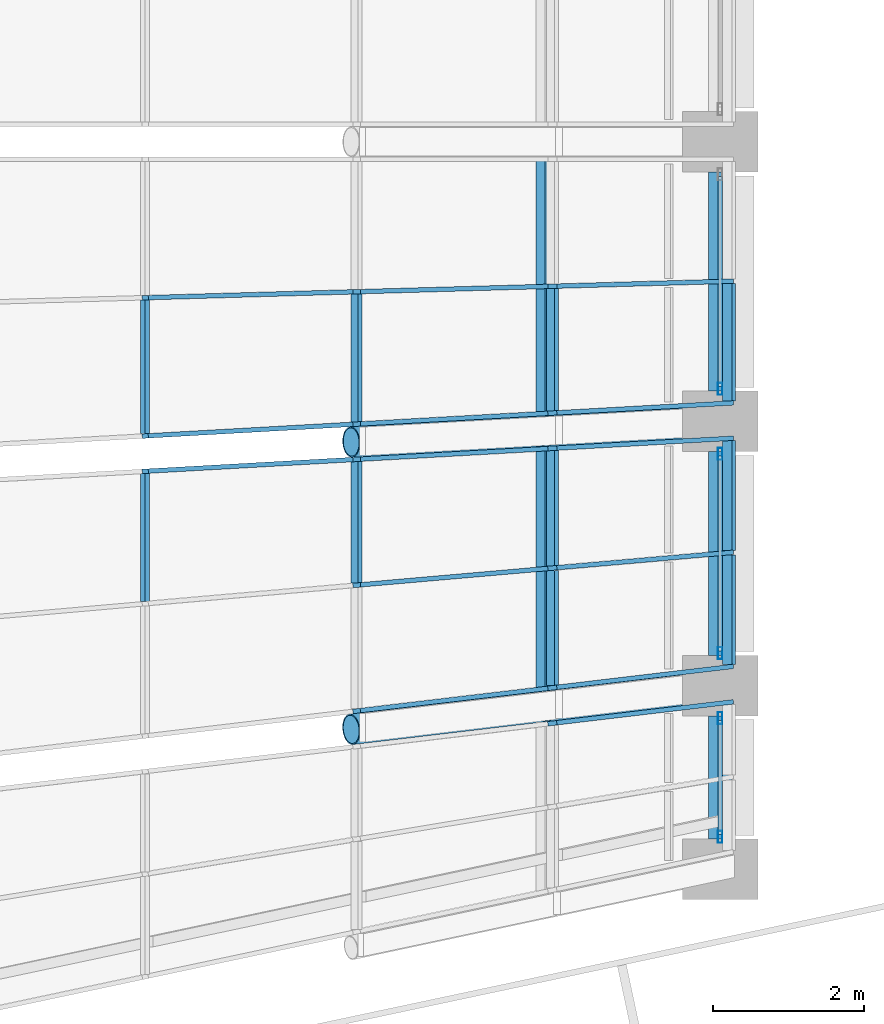
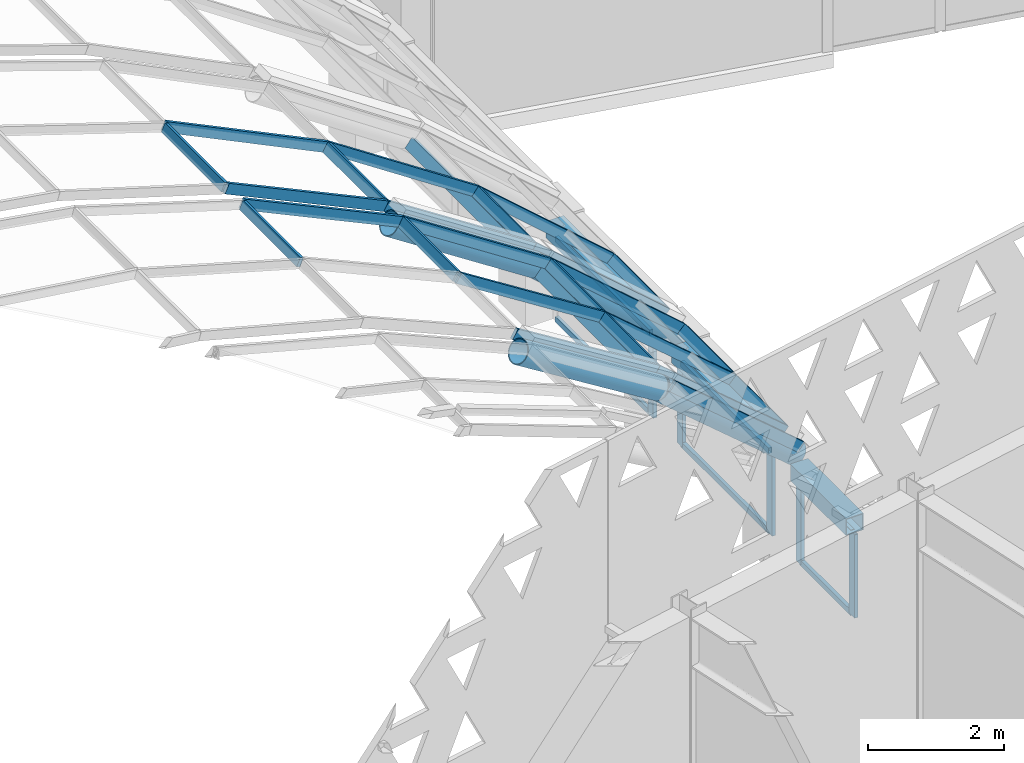
# One storey, part 34 of 182: 41 members, 3 beams, 6 elements without a shape of their own.
"""IFC4 building model written with IfcOpenShell, lengths in metres."""

from ifc_helpers import new_model, si_unit, direction, frame, origin, origin_2d, place, context, subcontext, project, spatial, rectangle, hollow_rectangle, hollow_circle, extrude, material, material_profile, profile_set, type_object, element, aggregate, save


model = new_model("IFC4")

# Units and contexts
model_context = context("Model", 3, precision=1e-05, world=origin(), true_north=direction((0.0, 1.0)))
body_context = subcontext(model_context, "Body", "Model", "MODEL_VIEW")
ifc_project = project(units=[si_unit("LENGTHUNIT", "METRE"), si_unit("AREAUNIT", "SQUARE_METRE"), si_unit("VOLUMEUNIT", "CUBIC_METRE"), si_unit("PLANEANGLEUNIT", "RADIAN"), si_unit("MASSUNIT", "GRAM", prefix="KILO")], contexts=[model_context])

# Site, building, storey
site_placement = place(None, origin())
site = spatial("IfcSite", under=ifc_project, at=site_placement, CompositionType="ELEMENT")
building_placement = place(site_placement, origin())
building = spatial("IfcBuilding", under=site, at=building_placement, Name="Okhra Congress Centre", CompositionType="ELEMENT")
storey_placement = place(building_placement, frame((0.0, 0.0, 7.199951171875)))
storey = spatial("IfcBuildingStorey", under=building, at=storey_placement, Name="L01", CompositionType="ELEMENT", Elevation=7.199951171875)

# Curtain wall, member
ifc_material_1 = material(Name="Aluminium frame with triple glazing", Category="aluminium")
curtain_wall_type_1 = type_object("IfcCurtainWallType", Name="Glazed vault bay curtain wall", PredefinedType="NOTDEFINED", material=ifc_material_1)
curtain_wall_1_placement = place(storey_placement, origin())
curtain_wall_1 = element("IfcCurtainWall", 1, at=curtain_wall_1_placement, inside=storey, type_object=curtain_wall_type_1, Name="Vault glazing bay 1", PredefinedType="NOTDEFINED")
ifc_material_2 = material(Name="Aluminium alloy 6063", Category="aluminium")
ifc_material_profile_1 = material_profile(ifc_material_2, rectangle(XDim=0.06005859375, YDim=0.179931640625, at=origin_2d()), Name="AL 60x180")
ifc_profile_set_1 = profile_set([ifc_material_profile_1], Name="Aluminium alloy 6063")
member_type_1 = type_object("IfcMemberType", Name="Aluminium mullion 60x180", PredefinedType="MULLION", material=ifc_profile_set_1)
member_1_placement = place(storey_placement, frame((186.779296875, 83.30224609375, 3.990478515625), z_axis=(0.745103091142, 0.088304480364, -0.661077682514), x_axis=(-0.117689490823, 0.993050443709, 0.0)))
member_1 = element("IfcMember", 2, at=member_1_placement, type_object=member_type_1, Name="Vault mullion 1.3.12", PredefinedType="MULLION", context=body_context, shape_type="SweptSolid", body=[
    extrude(rectangle(XDim=0.06005859375, YDim=0.179931640625, at=origin_2d()), origin(), (0.0, 0.0, 1.0), 3.137939453125),
])
aggregate(curtain_wall_1, [member_1])

# Curtain wall, members
curtain_wall_2_placement = place(storey_placement, origin())
curtain_wall_2 = element("IfcCurtainWall", 3, at=curtain_wall_2_placement, inside=storey, type_object=curtain_wall_type_1, Name="Vault glazing bay 2", PredefinedType="NOTDEFINED")
member_2_placement = place(storey_placement, frame((184.188720703125, 83.464599609375, 5.7392578125), z_axis=(0.824861462835, 0.097714716689, -0.556826185872), x_axis=(-0.117639418105, 0.993056376702, 0.0)))
member_2 = element("IfcMember", 4, at=member_2_placement, type_object=member_type_1, Name="Vault mullion 2.1.11", PredefinedType="MULLION", context=body_context, shape_type="SweptSolid", body=[
    extrude(rectangle(XDim=0.06005859375, YDim=0.179931640625, at=origin_2d()), origin(), (0.0, 0.0, 1.0), 3.140625),
])
member_3_placement = place(storey_placement, frame((186.779296875, 83.771484375, 3.990478515625), z_axis=(0.745103091142, 0.088304480364, -0.661077682514), x_axis=(-0.117689490823, 0.993050443709, 0.0)))
member_3 = element("IfcMember", 5, at=member_3_placement, type_object=member_type_1, Name="Vault mullion 2.1.12", PredefinedType="MULLION", context=body_context, shape_type="SweptSolid", body=[
    extrude(rectangle(XDim=0.06005859375, YDim=0.179931640625, at=origin_2d()), origin(), (0.0, 0.0, 1.0), 3.137939453125),
])
member_4_placement = place(storey_placement, frame((184.188720703125, 85.13037109375, 5.7392578125), z_axis=(0.826668251068, 0.07214162666, -0.558045865838), x_axis=(-0.086937512763, 0.996213766656, 0.0)))
member_4 = element("IfcMember", 6, at=member_4_placement, type_object=member_type_1, Name="Vault mullion 2.2.11", PredefinedType="MULLION", context=body_context, shape_type="SweptSolid", body=[
    extrude(rectangle(XDim=0.06005859375, YDim=0.179931640625, at=origin_2d()), origin(), (0.0, 0.0, 1.0), 3.1337890625),
])
member_5_placement = place(storey_placement, frame((186.779296875, 85.3564453125, 3.990478515625), z_axis=(0.746431842792, 0.065235820447, -0.662256590603), x_axis=(-0.087065010231, 0.996202631995, 0.0)))
member_5 = element("IfcMember", 7, at=member_5_placement, type_object=member_type_1, Name="Vault mullion 2.2.12", PredefinedType="MULLION", context=body_context, shape_type="SweptSolid", body=[
    extrude(rectangle(XDim=0.06005859375, YDim=0.179931640625, at=origin_2d()), origin(), (0.0, 0.0, 1.0), 3.13232421875),
])
member_6_placement = place(storey_placement, frame((181.390625, 86.638427734375, 7.1318359375), z_axis=(0.894119541934, 0.050319091227, -0.444992397452), x_axis=(-0.05618890153, 0.998420155718, 0.0)))
member_6 = element("IfcMember", 8, at=member_6_placement, type_object=member_type_1, Name="Vault mullion 2.3.10", PredefinedType="MULLION", context=body_context, shape_type="SweptSolid", body=[
    extrude(rectangle(XDim=0.06005859375, YDim=0.179931640625, at=origin_2d()), origin(), (0.0, 0.0, 1.0), 3.12939453125),
])
member_7_placement = place(storey_placement, frame((184.188720703125, 86.7958984375, 5.7392578125), z_axis=(0.827928159317, 0.046581199803, -0.558896372179), x_axis=(-0.056173532115, 0.998421020557, 0.0)))
member_7 = element("IfcMember", 9, at=member_7_placement, type_object=member_type_1, Name="Vault mullion 2.3.11", PredefinedType="MULLION", context=body_context, shape_type="SweptSolid", body=[
    extrude(rectangle(XDim=0.06005859375, YDim=0.179931640625, at=origin_2d()), origin(), (0.0, 0.0, 1.0), 3.12890625),
])
member_8_placement = place(storey_placement, frame((186.779296875, 86.941650390625, 3.990478515625), z_axis=(0.747365677027, 0.041984205309, -0.663085116185), x_axis=(-0.056087825139, 0.998425838944, 0.0)))
member_8 = element("IfcMember", 10, at=member_8_placement, type_object=member_type_1, Name="Vault mullion 2.3.12", PredefinedType="MULLION", context=body_context, shape_type="SweptSolid", body=[
    extrude(rectangle(XDim=0.06005859375, YDim=0.179931640625, at=origin_2d()), origin(), (0.0, 0.0, 1.0), 3.12841796875),
])

curtain_wall_3_placement = place(storey_placement, origin())
curtain_wall_3 = element("IfcCurtainWall", 11, at=curtain_wall_3_placement, inside=storey, type_object=curtain_wall_type_1, Name="Vault glazing bay 3", PredefinedType="NOTDEFINED")
member_9_placement = place(storey_placement, frame((181.390625, 87.10546875, 7.1318359375), z_axis=(0.894119541934, 0.050319091227, -0.444992397452), x_axis=(-0.05618890153, 0.998420155718, 0.0)))
member_9 = element("IfcMember", 12, at=member_9_placement, type_object=member_type_1, Name="Vault mullion 3.1.10", PredefinedType="MULLION", context=body_context, shape_type="SweptSolid", body=[
    extrude(rectangle(XDim=0.06005859375, YDim=0.179931640625, at=origin_2d()), origin(), (0.0, 0.0, 1.0), 3.12939453125),
])
member_10_placement = place(storey_placement, frame((184.188720703125, 87.262939453125, 5.7392578125), z_axis=(0.827928159317, 0.046581199803, -0.558896372179), x_axis=(-0.056173532115, 0.998421020557, 0.0)))
member_10 = element("IfcMember", 13, at=member_10_placement, type_object=member_type_1, Name="Vault mullion 3.1.11", PredefinedType="MULLION", context=body_context, shape_type="SweptSolid", body=[
    extrude(rectangle(XDim=0.06005859375, YDim=0.179931640625, at=origin_2d()), origin(), (0.0, 0.0, 1.0), 3.12890625),
])
member_11_placement = place(storey_placement, frame((186.779296875, 87.40869140625, 3.990478515625), z_axis=(0.747365677027, 0.041984205309, -0.663085116185), x_axis=(-0.056087825139, 0.998425838944, 0.0)))
member_11 = element("IfcMember", 14, at=member_11_placement, type_object=member_type_1, Name="Vault mullion 3.1.12", PredefinedType="MULLION", context=body_context, shape_type="SweptSolid", body=[
    extrude(rectangle(XDim=0.06005859375, YDim=0.179931640625, at=origin_2d()), origin(), (0.0, 0.0, 1.0), 3.12841796875),
])
member_12_placement = place(storey_placement, frame((181.390625, 88.93603515625, 7.1318359375), z_axis=(0.894968842501, 0.025222488101, -0.445415083991), x_axis=(-0.028171346668, 0.999603108852, 0.0)))
member_12 = element("IfcMember", 15, at=member_12_placement, type_object=member_type_1, Name="Vault mullion 3.2.10", PredefinedType="MULLION", context=body_context, shape_type="SweptSolid", body=[
    extrude(rectangle(XDim=0.06005859375, YDim=0.179931640625, at=origin_2d()), origin(), (0.0, 0.0, 1.0), 3.12646484375),
])
member_13_placement = place(storey_placement, frame((184.188720703125, 89.014892578125, 5.7392578125), z_axis=(0.828603403129, 0.023270550762, -0.559352198342), x_axis=(-0.028072995099, 0.999605875806, 0.0)))
member_13 = element("IfcMember", 16, at=member_13_placement, type_object=member_type_1, Name="Vault mullion 3.2.11", PredefinedType="MULLION", context=body_context, shape_type="SweptSolid", body=[
    extrude(rectangle(XDim=0.06005859375, YDim=0.179931640625, at=origin_2d()), origin(), (0.0, 0.0, 1.0), 3.12646484375),
])
member_14_placement = place(storey_placement, frame((186.779296875, 89.087646484375, 3.990478515625), z_axis=(0.747858948985, 0.021084046802, -0.663522761775), x_axis=(-0.028181347319, 0.999602826958, 0.0)))
member_14 = element("IfcMember", 17, at=member_14_placement, type_object=member_type_1, Name="Vault mullion 3.2.12", PredefinedType="MULLION", context=body_context, shape_type="SweptSolid", body=[
    extrude(rectangle(XDim=0.06005859375, YDim=0.179931640625, at=origin_2d()), origin(), (0.0, 0.0, 1.0), 3.12646484375),
])

# Member
ifc_material_profile_2 = material_profile(ifc_material_2, rectangle(XDim=0.06005859375, YDim=0.159912109375, at=origin_2d()), Name="AL 60x160 transom")
ifc_profile_set_2 = profile_set([ifc_material_profile_2], Name="Aluminium alloy 6063")
member_type_2 = type_object("IfcMemberType", Name="Aluminium transom 60x160", PredefinedType="USERDEFINED", material=ifc_profile_set_2)
member_15_placement = place(storey_placement, frame((181.38671875, 84.91552734375, 7.12255859375), z_axis=(0.0, 1.0, 0.0), x_axis=(-0.922668973833, 0.0, 0.38559300399)))
member_15 = element("IfcMember", 18, at=member_15_placement, type_object=member_type_2, Name="Vault transom 2.2.10", ObjectType="TRANSOM", PredefinedType="USERDEFINED", context=body_context, shape_type="SweptSolid", body=[
    extrude(rectangle(XDim=0.06005859375, YDim=0.159912109375, at=origin_2d()), origin(), (0.0, 0.0, 1.0), 1.692626953125),
])

member_16_placement = place(storey_placement, frame((181.38671875, 87.13525390625, 7.12255859375), z_axis=(0.0, 1.0, 0.0), x_axis=(-0.922668973833, 0.0, 0.38559300399)))
member_16 = element("IfcMember", 19, at=member_16_placement, type_object=member_type_2, Name="Vault transom 3.1.10", ObjectType="TRANSOM", PredefinedType="USERDEFINED", context=body_context, shape_type="SweptSolid", body=[
    extrude(rectangle(XDim=0.06005859375, YDim=0.159912109375, at=origin_2d()), origin(), (0.0, 0.0, 1.0), 1.770751953125),
])

ifc_material_profile_3 = material_profile(ifc_material_2, rectangle(XDim=0.06005859375, YDim=0.179931640625, at=origin_2d()), Name="AL 60x180 transom")
ifc_profile_set_3 = profile_set([ifc_material_profile_3], Name="Aluminium alloy 6063")
member_type_3 = type_object("IfcMemberType", Name="Aluminium transom 60x180", PredefinedType="USERDEFINED", material=ifc_profile_set_3)
member_17_placement = place(storey_placement, frame((186.779296875, 83.801513671875, 3.990478515625), z_axis=(0.0, 1.0, 0.0), x_axis=(-0.790145035185, 0.0, 0.612919915954)))
member_17 = element("IfcMember", 20, at=member_17_placement, type_object=member_type_3, Name="Vault transom 2.1.12", ObjectType="TRANSOM", PredefinedType="USERDEFINED", context=body_context, shape_type="SweptSolid", body=[
    extrude(rectangle(XDim=0.06005859375, YDim=0.179931640625, at=origin_2d()), origin(), (0.0, 0.0, 1.0), 1.525146484375),
])

member_18_placement = place(storey_placement, frame((189.117431640625, 84.07861328125, 1.916015625), z_axis=(0.0, 1.0, 0.0), x_axis=(-0.702636070549, 0.0, 0.711549402616)))
member_18 = element("IfcMember", 21, at=member_18_placement, type_object=member_type_3, Name="Vault transom 2.1.13", ObjectType="TRANSOM", PredefinedType="USERDEFINED", context=body_context, shape_type="SweptSolid", body=[
    extrude(rectangle(XDim=0.06005859375, YDim=0.179931640625, at=origin_2d()), origin(), (0.0, 0.0, 1.0), 1.4521484375),
])

member_19_placement = place(storey_placement, frame((184.188720703125, 85.16015625, 5.7392578125), z_axis=(0.0, 1.0, 0.0), x_axis=(-0.86391685861, 0.0, 0.503634452167)))
member_19 = element("IfcMember", 22, at=member_19_placement, type_object=member_type_3, Name="Vault transom 2.2.11", ObjectType="TRANSOM", PredefinedType="USERDEFINED", context=body_context, shape_type="SweptSolid", body=[
    extrude(rectangle(XDim=0.06005859375, YDim=0.179931640625, at=origin_2d()), origin(), (0.0, 0.0, 1.0), 1.605712890625),
])

member_20_placement = place(storey_placement, frame((186.779296875, 85.386474609375, 3.990478515625), z_axis=(0.0, 1.0, 0.0), x_axis=(-0.790145035185, 0.0, 0.612919915954)))
member_20 = element("IfcMember", 23, at=member_20_placement, type_object=member_type_3, Name="Vault transom 2.2.12", ObjectType="TRANSOM", PredefinedType="USERDEFINED", context=body_context, shape_type="SweptSolid", body=[
    extrude(rectangle(XDim=0.06005859375, YDim=0.179931640625, at=origin_2d()), origin(), (0.0, 0.0, 1.0), 1.525146484375),
])

member_21_placement = place(storey_placement, frame((189.117431640625, 85.5908203125, 1.916015625), z_axis=(0.0, 1.0, 0.0), x_axis=(-0.702636070549, 0.0, 0.711549402616)))
member_21 = element("IfcMember", 24, at=member_21_placement, type_object=member_type_3, Name="Vault transom 2.2.13", ObjectType="TRANSOM", PredefinedType="USERDEFINED", context=body_context, shape_type="SweptSolid", body=[
    extrude(rectangle(XDim=0.06005859375, YDim=0.179931640625, at=origin_2d()), origin(), (0.0, 0.0, 1.0), 1.4521484375),
])

aggregate(curtain_wall_2, [member_2, member_3, member_4, member_5, member_6, member_7, member_8, member_17, member_18, member_15, member_19, member_20, member_21])

member_22_placement = place(storey_placement, frame((184.188720703125, 87.29296875, 5.7392578125), z_axis=(0.0, 1.0, 0.0), x_axis=(-0.86391685861, 0.0, 0.503634452167)))
member_22 = element("IfcMember", 25, at=member_22_placement, type_object=member_type_3, Name="Vault transom 3.1.11", ObjectType="TRANSOM", PredefinedType="USERDEFINED", context=body_context, shape_type="SweptSolid", body=[
    extrude(rectangle(XDim=0.06005859375, YDim=0.179931640625, at=origin_2d()), origin(), (0.0, 0.0, 1.0), 1.69189453125),
])

member_23_placement = place(storey_placement, frame((186.779296875, 87.438720703125, 3.990478515625), z_axis=(0.0, 1.0, 0.0), x_axis=(-0.790145035185, 0.0, 0.612919915954)))
member_23 = element("IfcMember", 26, at=member_23_placement, type_object=member_type_3, Name="Vault transom 3.1.12", ObjectType="TRANSOM", PredefinedType="USERDEFINED", context=body_context, shape_type="SweptSolid", body=[
    extrude(rectangle(XDim=0.06005859375, YDim=0.179931640625, at=origin_2d()), origin(), (0.0, 0.0, 1.0), 1.618896484375),
])

member_24_placement = place(storey_placement, frame((189.117431640625, 87.570068359375, 1.916015625), z_axis=(0.0, 1.0, 0.0), x_axis=(-0.702636070549, 0.0, 0.711549402616)))
member_24 = element("IfcMember", 27, at=member_24_placement, type_object=member_type_3, Name="Vault transom 3.1.13", ObjectType="TRANSOM", PredefinedType="USERDEFINED", context=body_context, shape_type="SweptSolid", body=[
    extrude(rectangle(XDim=0.06005859375, YDim=0.179931640625, at=origin_2d()), origin(), (0.0, 0.0, 1.0), 1.553466796875),
])

aggregate(curtain_wall_3, [member_9, member_10, member_11, member_12, member_13, member_14, member_16, member_22, member_23, member_24])

# Curtain wall, members
ifc_material_3 = material(Name="Aluminium curtain wall, triple glazing", Category="aluminium")
curtain_wall_type_2 = type_object("IfcCurtainWallType", Name="Curtain wall 2100 module", PredefinedType="NOTDEFINED", material=ifc_material_3)
curtain_wall_4_placement = place(storey_placement, origin())
curtain_wall_4 = element("IfcCurtainWall", 28, at=curtain_wall_4_placement, inside=storey, type_object=curtain_wall_type_2, Name="East bay 1 clerestory glazing", PredefinedType="NOTDEFINED")
ifc_material_4 = material(Name="Aluminium alloy EN AW-6063 T66", Category="aluminium")
ifc_material_profile_4 = material_profile(ifc_material_4, hollow_rectangle(XDim=0.06005859375, YDim=0.159912109375, WallThickness=0.00390625, at=origin_2d()), Name="RHS 60x160x4")
ifc_profile_set_4 = profile_set([ifc_material_profile_4], Name="Aluminium alloy EN AW-6063 T66")
member_type_4 = type_object("IfcMemberType", Name="Curtain wall mullion 60x160", PredefinedType="MULLION", material=ifc_profile_set_4)
member_25_placement = place(storey_placement, frame((189.0, 81.799072265625, 0.0), z_axis=(0.0, 0.0, 1.0), x_axis=(-1.0, 0.0, 0.0)))
member_25 = element("IfcMember", 29, at=member_25_placement, type_object=member_type_4, Name="CW4 mullion 1", PredefinedType="MULLION", context=body_context, shape_type="SweptSolid", body=[
    extrude(hollow_rectangle(XDim=0.06005859375, YDim=0.159912109375, WallThickness=0.00390625, at=origin_2d()), origin(), (0.0, 0.0, 1.0), 1.5),
])
member_26_placement = place(storey_placement, frame((189.0, 83.3701171875, 0.0), z_axis=(0.0, 0.0, 1.0), x_axis=(-1.0, 0.0, 0.0)))
member_26 = element("IfcMember", 30, at=member_26_placement, type_object=member_type_4, Name="CW4 mullion 2", PredefinedType="MULLION", context=body_context, shape_type="SweptSolid", body=[
    extrude(hollow_rectangle(XDim=0.06005859375, YDim=0.159912109375, WallThickness=0.00390625, at=origin_2d()), origin(), (0.0, 0.0, 1.0), 1.5),
])

curtain_wall_5_placement = place(storey_placement, origin())
curtain_wall_5 = element("IfcCurtainWall", 31, at=curtain_wall_5_placement, inside=storey, type_object=curtain_wall_type_2, Name="East bay 2 clerestory glazing", PredefinedType="NOTDEFINED")
member_27_placement = place(storey_placement, frame((189.0, 84.22998046875, 0.0), z_axis=(0.0, 0.0, 1.0), x_axis=(-1.0, 0.0, 0.0)))
member_27 = element("IfcMember", 32, at=member_27_placement, type_object=member_type_4, Name="CW4 mullion 1", PredefinedType="MULLION", context=body_context, shape_type="SweptSolid", body=[
    extrude(hollow_rectangle(XDim=0.06005859375, YDim=0.159912109375, WallThickness=0.00390625, at=origin_2d()), origin(), (0.0, 0.0, 1.0), 1.5),
])
member_28_placement = place(storey_placement, frame((189.0, 86.8701171875, 0.0), z_axis=(0.0, 0.0, 1.0), x_axis=(-1.0, 0.0, 0.0)))
member_28 = element("IfcMember", 33, at=member_28_placement, type_object=member_type_4, Name="CW4 mullion 2", PredefinedType="MULLION", context=body_context, shape_type="SweptSolid", body=[
    extrude(hollow_rectangle(XDim=0.06005859375, YDim=0.159912109375, WallThickness=0.00390625, at=origin_2d()), origin(), (0.0, 0.0, 1.0), 1.5),
])

# Curtain wall, member
curtain_wall_6_placement = place(storey_placement, origin())
curtain_wall_6 = element("IfcCurtainWall", 34, at=curtain_wall_6_placement, inside=storey, type_object=curtain_wall_type_2, Name="East bay 3 clerestory glazing", PredefinedType="NOTDEFINED")
member_29_placement = place(storey_placement, frame((189.0, 87.72998046875, 0.0), z_axis=(0.0, 0.0, 1.0), x_axis=(-1.0, 0.0, 0.0)))
member_29 = element("IfcMember", 35, at=member_29_placement, type_object=member_type_4, Name="CW4 mullion 1", PredefinedType="MULLION", context=body_context, shape_type="SweptSolid", body=[
    extrude(hollow_rectangle(XDim=0.06005859375, YDim=0.159912109375, WallThickness=0.00390625, at=origin_2d()), origin(), (0.0, 0.0, 1.0), 1.5),
])

# Member
ifc_material_profile_5 = material_profile(ifc_material_4, hollow_rectangle(XDim=0.06005859375, YDim=0.10009765625, WallThickness=0.00390625, at=origin_2d()), Name="RHS 60x100x4")
ifc_profile_set_5 = profile_set([ifc_material_profile_5], Name="Aluminium alloy EN AW-6063 T66")
member_type_5 = type_object("IfcMemberType", Name="Curtain wall transom 60x100", PredefinedType="USERDEFINED", material=ifc_profile_set_5)
member_30_placement = place(storey_placement, frame((189.0, 81.8291015625, 0.030029296875), z_axis=(0.0, 1.0, 0.0), x_axis=(-1.0, 0.0, 0.0)))
member_30 = element("IfcMember", 36, at=member_30_placement, type_object=member_type_5, Name="CW4 transom 1.1", ObjectType="TRANSOM", PredefinedType="USERDEFINED", context=body_context, shape_type="SweptSolid", body=[
    extrude(hollow_rectangle(XDim=0.06005859375, YDim=0.10009765625, WallThickness=0.00390625, at=origin_2d()), origin(), (0.0, 0.0, 1.0), 1.510986328125),
])

member_31_placement = place(storey_placement, frame((189.0, 81.8291015625, 1.469970703125), z_axis=(0.0, 1.0, 0.0), x_axis=(-1.0, 0.0, 0.0)))
member_31 = element("IfcMember", 37, at=member_31_placement, type_object=member_type_5, Name="CW4 transom 1.2", ObjectType="TRANSOM", PredefinedType="USERDEFINED", context=body_context, shape_type="SweptSolid", body=[
    extrude(hollow_rectangle(XDim=0.06005859375, YDim=0.10009765625, WallThickness=0.00390625, at=origin_2d()), origin(), (0.0, 0.0, 1.0), 1.510986328125),
])

aggregate(curtain_wall_4, [member_25, member_26, member_30, member_31])

member_32_placement = place(storey_placement, frame((189.0, 84.260009765625, 0.030029296875), z_axis=(0.0, 1.0, 0.0), x_axis=(-1.0, 0.0, 0.0)))
member_32 = element("IfcMember", 38, at=member_32_placement, type_object=member_type_5, Name="CW4 transom 1.1", ObjectType="TRANSOM", PredefinedType="USERDEFINED", context=body_context, shape_type="SweptSolid", body=[
    extrude(hollow_rectangle(XDim=0.06005859375, YDim=0.10009765625, WallThickness=0.00390625, at=origin_2d()), origin(), (0.0, 0.0, 1.0), 2.580078125),
])

member_33_placement = place(storey_placement, frame((189.0, 84.260009765625, 1.469970703125), z_axis=(0.0, 1.0, 0.0), x_axis=(-1.0, 0.0, 0.0)))
member_33 = element("IfcMember", 39, at=member_33_placement, type_object=member_type_5, Name="CW4 transom 1.2", ObjectType="TRANSOM", PredefinedType="USERDEFINED", context=body_context, shape_type="SweptSolid", body=[
    extrude(hollow_rectangle(XDim=0.06005859375, YDim=0.10009765625, WallThickness=0.00390625, at=origin_2d()), origin(), (0.0, 0.0, 1.0), 2.580078125),
])

aggregate(curtain_wall_5, [member_27, member_28, member_32, member_33])

member_34_placement = place(storey_placement, frame((189.0, 87.760009765625, 0.030029296875), z_axis=(0.0, 1.0, 0.0), x_axis=(-1.0, 0.0, 0.0)))
member_34 = element("IfcMember", 40, at=member_34_placement, type_object=member_type_5, Name="CW4 transom 1.1", ObjectType="TRANSOM", PredefinedType="USERDEFINED", context=body_context, shape_type="SweptSolid", body=[
    extrude(hollow_rectangle(XDim=0.06005859375, YDim=0.10009765625, WallThickness=0.00390625, at=origin_2d()), origin(), (0.0, 0.0, 1.0), 2.780029296875),
])

member_35_placement = place(storey_placement, frame((189.0, 87.760009765625, 1.469970703125), z_axis=(0.0, 1.0, 0.0), x_axis=(-1.0, 0.0, 0.0)))
member_35 = element("IfcMember", 41, at=member_35_placement, type_object=member_type_5, Name="CW4 transom 1.2", ObjectType="TRANSOM", PredefinedType="USERDEFINED", context=body_context, shape_type="SweptSolid", body=[
    extrude(hollow_rectangle(XDim=0.06005859375, YDim=0.10009765625, WallThickness=0.00390625, at=origin_2d()), origin(), (0.0, 0.0, 1.0), 2.780029296875),
])

aggregate(curtain_wall_6, [member_29, member_34, member_35])

# Beams
ifc_material_5 = material(Name="Steel S355J2", Category="steel")
ifc_material_profile_6 = material_profile(ifc_material_5, hollow_rectangle(XDim=0.300048828125, YDim=0.300048828125, WallThickness=0.012451171875, at=origin_2d()), Name="RHS 300x300x12.5")
ifc_profile_set_6 = profile_set([ifc_material_profile_6], Name="Steel S355J2")
beam_type = type_object("IfcBeamType", Name="Steel eaves beam RHS 300x300x12.5", PredefinedType="BEAM", material=ifc_profile_set_6)
beam_1_placement = place(storey_placement, frame((189.0, 81.769287109375, 1.650146484375), z_axis=(0.0, 1.0, 0.0), x_axis=(-1.0, 0.0, 0.0)))
element("IfcBeam", 42, at=beam_1_placement, inside=storey, type_object=beam_type, Name="Eaves beam E1", PredefinedType="BEAM", context=body_context, shape_type="SweptSolid", body=[
    extrude(hollow_rectangle(XDim=0.300048828125, YDim=0.300048828125, WallThickness=0.012451171875, at=origin_2d()), origin(), (0.0, 0.0, 1.0), 1.630615234375),
])
beam_2_placement = place(storey_placement, frame((189.0, 84.199951171875, 1.650146484375), z_axis=(0.0, 1.0, 0.0), x_axis=(-1.0, 0.0, 0.0)))
element("IfcBeam", 43, at=beam_2_placement, inside=storey, type_object=beam_type, Name="Eaves beam E2", PredefinedType="BEAM", context=body_context, shape_type="SweptSolid", body=[
    extrude(hollow_rectangle(XDim=0.300048828125, YDim=0.300048828125, WallThickness=0.012451171875, at=origin_2d()), origin(), (0.0, 0.0, 1.0), 2.699951171875),
])
beam_3_placement = place(storey_placement, frame((189.0, 87.699951171875, 1.650146484375), z_axis=(0.0, 1.0, 0.0), x_axis=(-1.0, 0.0, 0.0)))
element("IfcBeam", 44, at=beam_3_placement, inside=storey, type_object=beam_type, Name="Eaves beam E3", PredefinedType="BEAM", context=body_context, shape_type="SweptSolid", body=[
    extrude(hollow_rectangle(XDim=0.300048828125, YDim=0.300048828125, WallThickness=0.012451171875, at=origin_2d()), origin(), (0.0, 0.0, 1.0), 2.900146484375),
])

# Members
ifc_material_profile_7 = material_profile(ifc_material_5, hollow_rectangle(XDim=0.10009765625, YDim=0.199951171875, WallThickness=0.008056640625, at=origin_2d()), Name="RHS 200x100x8")
ifc_profile_set_7 = profile_set([ifc_material_profile_7], Name="Steel S355J2")
member_type_6 = type_object("IfcMemberType", Name="Steel purlin RHS 200x100x8", PredefinedType="PURLIN", material=ifc_profile_set_7)
member_36_placement = place(storey_placement, frame((186.662841796875, 83.727783203125, 3.84033203125), z_axis=(0.0, 1.0, 0.0), x_axis=(-0.790145035185, 0.0, 0.612919915954)))
element("IfcMember", 45, at=member_36_placement, inside=storey, type_object=member_type_6, Name="Vault purlin 2.11", PredefinedType="PURLIN", context=body_context, shape_type="SweptSolid", body=[
    extrude(hollow_rectangle(XDim=0.10009765625, YDim=0.199951171875, WallThickness=0.008056640625, at=origin_2d()), origin(), (0.0, 0.0, 1.0), 3.2373046875),
])
member_37_placement = place(storey_placement, frame((186.662841796875, 87.3720703125, 3.84033203125), z_axis=(0.0, 1.0, 0.0), x_axis=(-0.790145035185, 0.0, 0.612919915954)))
element("IfcMember", 46, at=member_37_placement, inside=storey, type_object=member_type_6, Name="Vault purlin 3.11", PredefinedType="PURLIN", context=body_context, shape_type="SweptSolid", body=[
    extrude(hollow_rectangle(XDim=0.10009765625, YDim=0.199951171875, WallThickness=0.008056640625, at=origin_2d()), origin(), (0.0, 0.0, 1.0), 3.4248046875),
])
ifc_material_profile_8 = material_profile(ifc_material_5, hollow_circle(Radius=0.203125, WallThickness=0.01611328125, at=origin_2d()), Name="CHS 406.4x16")
ifc_profile_set_8 = profile_set([ifc_material_profile_8], Name="Steel S355J2")
member_type_7 = type_object("IfcMemberType", Name="Tubular steel arch rib CHS 406x16", PredefinedType="USERDEFINED", material=ifc_profile_set_8)
member_38_placement = place(storey_placement, frame((184.11669921875, 83.221435546875, 5.589111328125), z_axis=(0.824880328859, 0.097760084925, -0.556790273673), x_axis=(-0.117690626336, 0.993050309135, 0.0)))
element("IfcMember", 47, at=member_38_placement, inside=storey, type_object=member_type_7, Name="Arch rib 2.11", ObjectType="Arch rib", PredefinedType="USERDEFINED", context=body_context, shape_type="SweptSolid", body=[
    extrude(hollow_circle(Radius=0.203125, WallThickness=0.01611328125, at=origin_2d()), origin(), (0.0, 0.0, 1.0), 3.091796875),
])
member_39_placement = place(storey_placement, frame((186.688232421875, 83.526123046875, 3.85107421875), z_axis=(0.745134609671, 0.088261791473, -0.661047857297), x_axis=(-0.117628476916, 0.993057672755, 0.0)))
element("IfcMember", 48, at=member_39_placement, inside=storey, type_object=member_type_7, Name="Arch rib 2.12", ObjectType="Arch rib", PredefinedType="USERDEFINED", context=body_context, shape_type="SweptSolid", body=[
    extrude(hollow_circle(Radius=0.203125, WallThickness=0.01611328125, at=origin_2d()), origin(), (0.0, 0.0, 1.0), 3.333251953125),
])
member_40_placement = place(storey_placement, frame((184.116943359375, 87.025390625, 5.589111328125), z_axis=(0.827928013277, 0.046528840957, -0.558900949892), x_axis=(-0.056110599933, 0.998424559281, 0.0)))
element("IfcMember", 49, at=member_40_placement, inside=storey, type_object=member_type_7, Name="Arch rib 3.11", ObjectType="Arch rib", PredefinedType="USERDEFINED", context=body_context, shape_type="SweptSolid", body=[
    extrude(hollow_circle(Radius=0.203125, WallThickness=0.01611328125, at=origin_2d()), origin(), (0.0, 0.0, 1.0), 3.080078125),
])
member_41_placement = place(storey_placement, frame((186.688232421875, 87.169921875, 3.85107421875), z_axis=(0.747364749189, 0.042030541396, -0.663083226495), x_axis=(-0.056149601194, 0.998422366679, 0.0)))
element("IfcMember", 50, at=member_41_placement, inside=storey, type_object=member_type_7, Name="Arch rib 3.12", ObjectType="Arch rib", PredefinedType="USERDEFINED", context=body_context, shape_type="SweptSolid", body=[
    extrude(hollow_circle(Radius=0.203125, WallThickness=0.01611328125, at=origin_2d()), origin(), (0.0, 0.0, 1.0), 3.322509765625),
])

save(model, "model.ifc")
